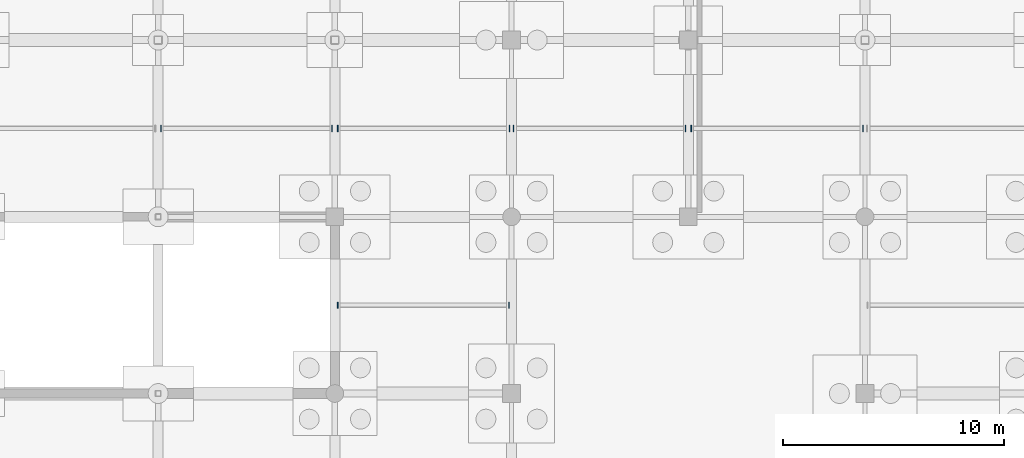
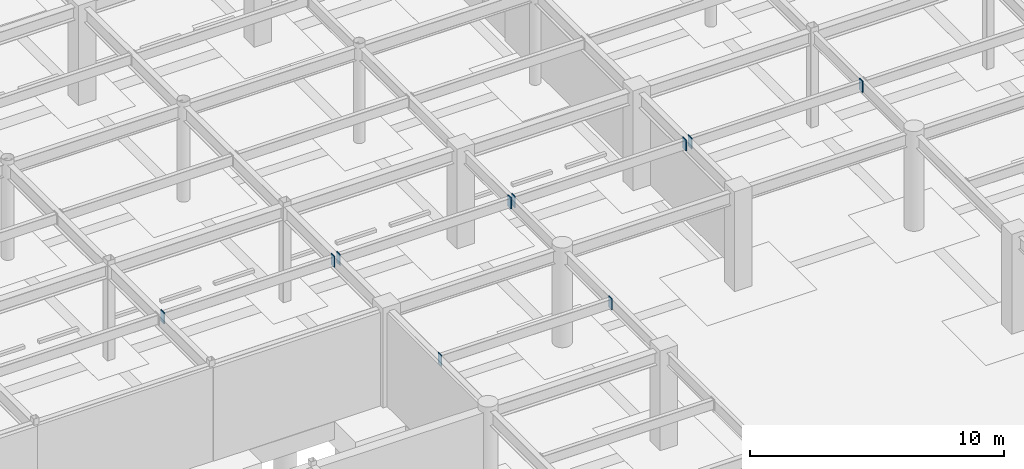
# One storey, part 80 of 105: 10 discrete accessories.
"""IFC4 building model written with IfcOpenShell, lengths in metres."""

from ifc_helpers import new_model, si_unit, direction, frame, origin, origin_2d, place, context, subcontext, project, spatial, rectangle, extrude, material, layer, layer_set, type_object, element, save


model = new_model("IFC4")

# Units and contexts
model_context = context("Model", 3, precision=1e-05, world=origin(), true_north=direction((0.0, 1.0)))
body_context = subcontext(model_context, "Body", "Model", "MODEL_VIEW")
ifc_project = project(units=[si_unit("LENGTHUNIT", "METRE"), si_unit("AREAUNIT", "SQUARE_METRE"), si_unit("VOLUMEUNIT", "CUBIC_METRE"), si_unit("PLANEANGLEUNIT", "RADIAN"), si_unit("MASSUNIT", "GRAM", prefix="KILO")], contexts=[model_context])

# Site, building, storey
site_placement = place(None, origin())
site = spatial("IfcSite", under=ifc_project, at=site_placement, CompositionType="ELEMENT")
building_placement = place(site_placement, origin())
building = spatial("IfcBuilding", under=site, at=building_placement, Name="Solmirada Galleria", CompositionType="ELEMENT")
storey_placement = place(building_placement, frame((0.0, 0.0, -4.800048828125)))
storey = spatial("IfcBuildingStorey", under=building, at=storey_placement, Name="B1", CompositionType="ELEMENT", Elevation=-4.800048828125)

# Discrete accessories
ifc_material = material(Name="Steel S355 / ASTM A572 Grade 50", Category="steel")
ifc_layer = layer(ifc_material, 0.031982421875)
ifc_layer_set = layer_set([ifc_layer], Name="Steel S355 / ASTM A572 Grade 50")
discrete_accessory_type = type_object("IfcDiscreteAccessoryType", Name="ACC-COL-CAP", PredefinedType="BRACKET", material=ifc_layer_set)
for number, where, z_axis, x_axis, name in (
    (1, (72.1279296875, 76.0, 4.08154296875), (0.0, 0.0, 1.0), (1.0, 0.0, 0.0), "Hollow joist end plate L00-10-10-L"),
    (2, (79.873046875, 76.0, 4.08154296875), (0.0, 0.0, 1.0), (1.0, 0.0, 0.0), "Hollow joist end plate L00-10-10-R"),
    (3, (80.126953125, 68.0, 4.08154296875), (0.0, 0.0, 1.0), (1.0, 0.0, 0.0), "Hollow joist end plate L00-11-09-L"),
    (4, (87.885986328125, 68.0, 4.08154296875), (0.0, 0.0, 1.0), (1.0, 0.0, 0.0), "Hollow joist end plate L00-11-09-R"),
    (5, (80.126953125, 76.0, 4.08154296875), (0.0, 0.0, 1.0), (1.0, 0.0, 0.0), "Hollow joist end plate L00-11-10-L"),
    (6, (87.910888671875, 76.0, 4.08154296875), (0.0, 0.0, 1.0), (1.0, 0.0, 0.0), "Hollow joist end plate L00-11-10-R"),
    (7, (88.089111328125, 76.0, 4.08154296875), (0.0, 0.0, 1.0), (1.0, 0.0, 0.0), "Hollow joist end plate L00-12-10-L"),
    (8, (95.8720703125, 76.0, 4.08154296875), (0.0, 0.0, 1.0), (1.0, 0.0, 0.0), "Hollow joist end plate L00-12-10-R"),
    (9, (96.1279296875, 76.0, 4.08154296875), (0.0, 0.0, 1.0), (1.0, 0.0, 0.0), "Hollow joist end plate L00-13-10-L"),
    (10, (103.910888671875, 76.0, 4.08154296875), (0.0, 0.0, 1.0), (1.0, 0.0, 0.0), "Hollow joist end plate L00-13-10-R"),
):
    element("IfcDiscreteAccessory", number, at=place(storey_placement, frame(where, z_axis=z_axis, x_axis=x_axis)), inside=storey, type_object=discrete_accessory_type, Name=name, PredefinedType="BRACKET", context=body_context, shape_type="SweptSolid", body=[
        extrude(rectangle(XDim=0.035888671875, YDim=0.280029296875, at=origin_2d()), origin(), (0.0, 0.0, 1.0), 0.5400390625),
    ])

save(model, "model.ifc")
